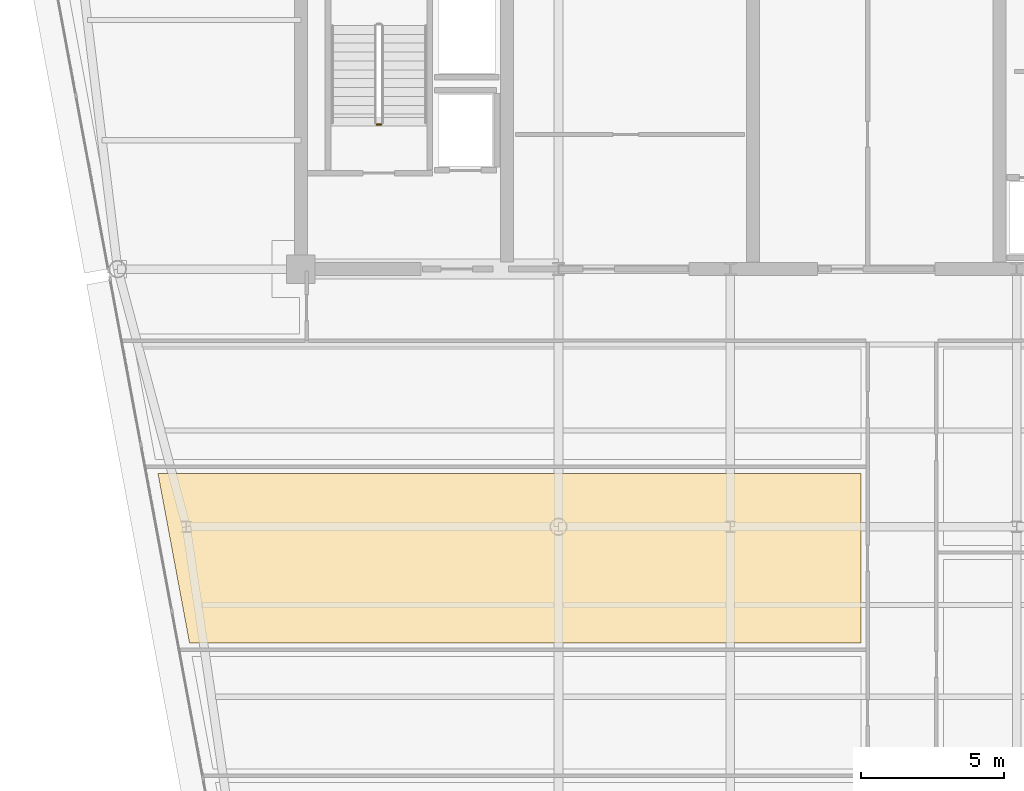
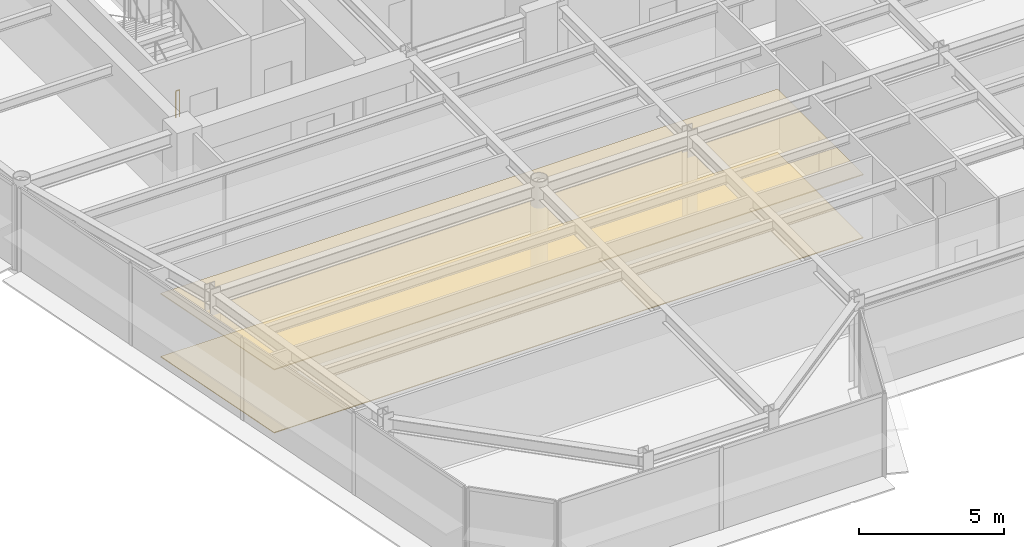
# One storey, part 13 of 18: 2 coverings, 1 railing.
"""IFC4 building model written with IfcOpenShell, lengths in metres."""

from ifc_helpers import new_model, si_unit, direction, frame, origin, origin_2d, place, context, subcontext, project, spatial, polyline, circle, outline, extrude, material, layer, layer_set, type_object, element, save


model = new_model("IFC4")

# Units and contexts
model_context = context("Model", 3, precision=1e-05, world=origin(), true_north=direction((0.0, 1.0)))
body_context = subcontext(model_context, "Body", "Model", "MODEL_VIEW")
ifc_project = project(units=[si_unit("LENGTHUNIT", "METRE"), si_unit("AREAUNIT", "SQUARE_METRE"), si_unit("VOLUMEUNIT", "CUBIC_METRE"), si_unit("PLANEANGLEUNIT", "RADIAN"), si_unit("MASSUNIT", "GRAM", prefix="KILO")], contexts=[model_context])

# Site, building, storey
site_placement = place(None, origin())
site = spatial("IfcSite", under=ifc_project, at=site_placement, CompositionType="ELEMENT")
building_placement = place(site_placement, origin())
building = spatial("IfcBuilding", under=site, at=building_placement, Name="Vaeldorn Concourse Tower", CompositionType="ELEMENT")
storey_placement = place(building_placement, frame((0.0, 0.0, 257.39990234375)))
storey = spatial("IfcBuildingStorey", under=building, at=storey_placement, Name="L66", CompositionType="ELEMENT", Elevation=257.39990234375)

# Coverings
ifc_material_1 = material(Name="Acoustic Mineral Fibre Board", Category="gypsum")
ifc_layer_1 = layer(ifc_material_1, 0.0400390625)
ifc_layer_set_1 = layer_set([ifc_layer_1], Name="Acoustic Mineral Fibre Board")
covering_type_1 = type_object("IfcCoveringType", Name="COV-CEIL-ACOUSTIC", PredefinedType="CEILING", material=ifc_layer_set_1)
covering_1_placement = place(storey_placement, frame((0.0, 0.0, 2.650146484375)))
element("IfcCovering", 1, at=covering_1_placement, inside=storey, type_object=covering_type_1, Name="Suspended Acoustic Ceiling L66-6", PredefinedType="CEILING", context=body_context, shape_type="SweptSolid", body=[
    extrude(outline(polyline([(33.56005859375, 29.360107421875), (33.56005859375, 23.43994140625), (10.1103515625, 23.43994140625), (9.008056640625, 29.360107421875), (33.56005859375, 29.360107421875)])), origin(), (0.0, 0.0, 1.0), 0.0400390625),
])
ifc_material_2 = material(Name="Honed Limestone Terrazzo Flooring", Category="masonry")
ifc_layer_2 = layer(ifc_material_2, 0.0400390625)
ifc_layer_set_2 = layer_set([ifc_layer_2], Name="Honed Limestone Terrazzo Flooring")
covering_type_2 = type_object("IfcCoveringType", Name="COV-FLOOR-STONE", PredefinedType="FLOORING", material=ifc_layer_set_2)
covering_2_placement = place(storey_placement, origin())
element("IfcCovering", 2, at=covering_2_placement, inside=storey, type_object=covering_type_2, Name="Floor Finish Covering L66-6", PredefinedType="FLOORING", context=body_context, shape_type="SweptSolid", body=[
    extrude(outline(polyline([(33.56005859375, 29.360107421875), (33.56005859375, 23.43994140625), (10.1103515625, 23.43994140625), (9.008056640625, 29.360107421875), (33.56005859375, 29.360107421875)])), origin(), (0.0, 0.0, 1.0), 0.030029296875),
])

# Railing
ifc_material_3 = material(Name="Anodised Bronze Aluminium", Category="aluminium")
railing_type = type_object("IfcRailingType", Name="RL-STAIR-GUARD", PredefinedType="GUARDRAIL", material=ifc_material_3)
railing_placement = place(storey_placement, frame((16.800048828125, 41.550048828125, 0.0)))
element("IfcRailing", 3, at=railing_placement, inside=storey, type_object=railing_type, Name="L66 ST-1 stair guard 4", PredefinedType="GUARDRAIL", context=body_context, shape_type="SweptSolid", body=[
    extrude(circle(Radius=0.02392578125, at=origin_2d()), frame((0.0, 0.0, 1.1259765625), z_axis=(-1.0, 0.0, 0.0), x_axis=(0.0, -1.0, 0.0)), (0.0, 0.0, 1.0), 0.150146484375),
    extrude(circle(Radius=0.02099609375, at=origin_2d()), origin(), (0.0, 0.0, 1.0), 1.101806640625),
    extrude(circle(Radius=0.02099609375, at=origin_2d()), frame((-0.150146484375, 0.0, 0.0)), (0.0, 0.0, 1.0), 1.101806640625),
])

save(model, "model.ifc")
